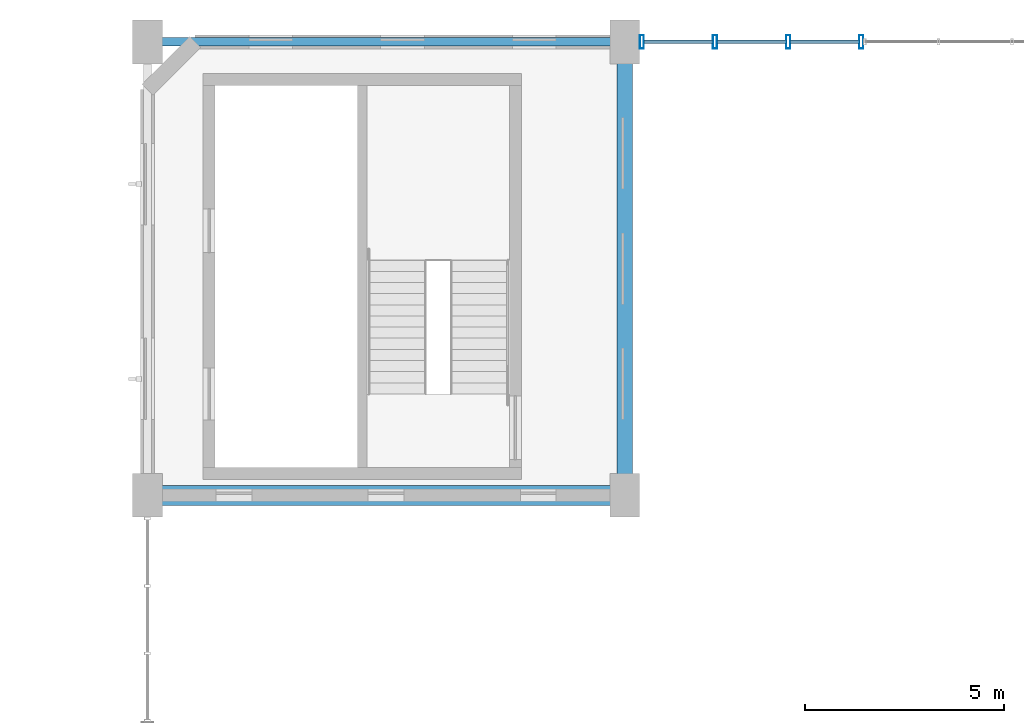
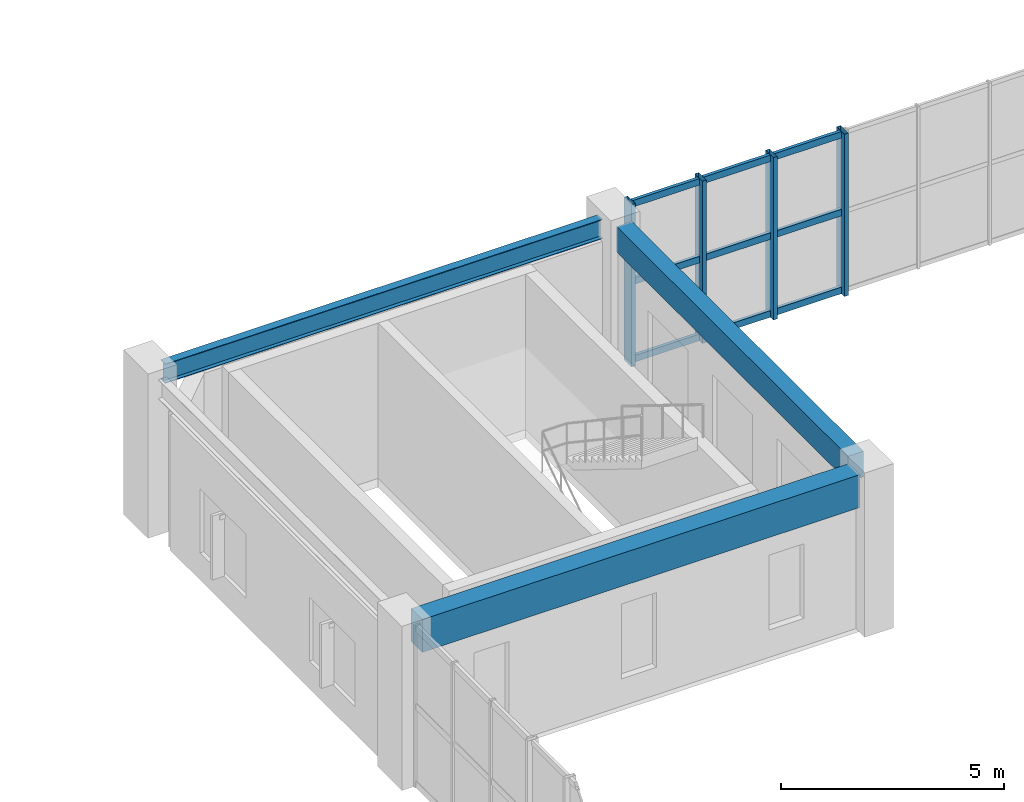
# One storey, part 26 of 48: 13 members, 3 beams, 1 element without a shape of its own.
"""IFC4 building model written with IfcOpenShell, lengths in metres."""

from ifc_helpers import new_model, si_unit, direction, frame, origin, origin_2d, place, context, subcontext, project, spatial, rectangle, hollow_rectangle, i_section, extrude, material, layer, layer_set, material_profile, profile_set, type_object, element, aggregate, save


model = new_model("IFC4")

# Units and contexts
model_context = context("Model", 3, precision=1e-05, world=origin(), true_north=direction((0.0, 1.0)))
body_context = subcontext(model_context, "Body", "Model", "MODEL_VIEW")
ifc_project = project(units=[si_unit("LENGTHUNIT", "METRE"), si_unit("AREAUNIT", "SQUARE_METRE"), si_unit("VOLUMEUNIT", "CUBIC_METRE"), si_unit("PLANEANGLEUNIT", "RADIAN"), si_unit("MASSUNIT", "GRAM", prefix="KILO"), si_unit("POWERUNIT", "WATT"), si_unit("THERMODYNAMICTEMPERATUREUNIT", "KELVIN")], contexts=[model_context])

# Site, building, storey
site_placement = place(None, origin())
site = spatial("IfcSite", under=ifc_project, at=site_placement, CompositionType="ELEMENT")
building_placement = place(site_placement, origin())
building = spatial("IfcBuilding", under=site, at=building_placement, Name="Kelmbourne Parkland Aquatics Centre", CompositionType="ELEMENT")
storey_placement = place(building_placement, frame((0.0, 0.0, 14.699951171875)))
storey = spatial("IfcBuildingStorey", under=building, at=storey_placement, Name="L03", CompositionType="ELEMENT", Elevation=14.699951171875)

# Beams
ifc_material_1 = material(Name="Concrete C40/50", Category="concrete")
ifc_material_profile_1 = material_profile(ifc_material_1, rectangle(XDim=0.5, YDim=0.89990234375, at=origin_2d()), Name="RC 500x900")
ifc_profile_set_1 = profile_set([ifc_material_profile_1], Name="Concrete C40/50")
beam_type_1 = type_object("IfcBeamType", Name="BM-G03", PredefinedType="BEAM", material=ifc_profile_set_1)
beam_1_placement = place(storey_placement, frame((128.330078125, 103.39990234375, 3.81005859375), z_axis=(1.0, 0.0, 0.0), x_axis=(0.0, 1.0, 0.0)))
element("IfcBeam", 1, at=beam_1_placement, inside=storey, type_object=beam_type_1, Name="Primary girder P-Q Grid 13 (L04)", PredefinedType="BEAM", context=body_context, shape_type="SweptSolid", body=[
    extrude(rectangle(XDim=0.5, YDim=0.89990234375, at=origin_2d()), origin(), (0.0, 0.0, 1.0), 11.33984375),
])
ifc_material_profile_2 = material_profile(ifc_material_1, rectangle(XDim=0.39990234375, YDim=0.699951171875, at=origin_2d()), Name="RC 400x700")
ifc_profile_set_2 = profile_set([ifc_material_profile_2], Name="Concrete C40/50")
beam_type_2 = type_object("IfcBeamType", Name="BM-G05", PredefinedType="BEAM", material=ifc_profile_set_2)
beam_2_placement = place(storey_placement, frame((140.0, 103.905029296875, 3.91015625), z_axis=(0.0, 1.0, 0.0), x_axis=(-1.0, 0.0, 0.0)))
element("IfcBeam", 2, at=beam_2_placement, inside=storey, type_object=beam_type_2, Name="Primary girder 13-14 Grid Q (L04)", PredefinedType="BEAM", context=body_context, shape_type="SweptSolid", body=[
    extrude(rectangle(XDim=0.39990234375, YDim=0.699951171875, at=origin_2d()), origin(), (0.0, 0.0, 1.0), 10.389892578125),
])
ifc_material_2 = material(Name="Structural steel AS/NZS 3679.1 Grade 300", Category="steel")
ifc_material_profile_3 = material_profile(ifc_material_2, i_section(OverallWidth=0.208984375, OverallDepth=0.532958984375, WebThickness=0.01025390625, FlangeThickness=0.015625, at=origin_2d()), Name="530UB92.4")
ifc_profile_set_3 = profile_set([ifc_material_profile_3], Name="Structural steel AS/NZS 3679.1 Grade 300")
beam_type_3 = type_object("IfcBeamType", Name="BM-SP02", PredefinedType="SPANDREL", material=ifc_profile_set_3)
beam_3_placement = place(storey_placement, frame((128.330078125, 114.800048828125, 3.99365234375), z_axis=(1.0, 0.0, 0.0), x_axis=(0.0, 1.0, 0.0)))
element("IfcBeam", 3, at=beam_3_placement, inside=storey, type_object=beam_type_3, Name="Perimeter spandrel P-Q Grid 14 (L04)", PredefinedType="SPANDREL", context=body_context, shape_type="SweptSolid", body=[
    extrude(i_section(OverallWidth=0.208984375, OverallDepth=0.532958984375, WebThickness=0.01025390625, FlangeThickness=0.015625, at=origin_2d()), origin(), (0.0, 0.0, 1.0), 11.33984375),
])

# Curtain wall, members
ifc_material_3 = material(Name="Thermally broken anodised aluminium framing", Category="aluminium")
ifc_layer = layer(ifc_material_3, 0.179931640625)
ifc_layer_set = layer_set([ifc_layer], Name="Thermally broken anodised aluminium framing")
curtain_wall_type = type_object("IfcCurtainWallType", Name="CW-05", PredefinedType="NOTDEFINED", material=ifc_layer_set)
curtain_wall_placement = place(storey_placement, origin())
curtain_wall = element("IfcCurtainWall", 4, at=curtain_wall_placement, inside=storey, type_object=curtain_wall_type, Name="Wave-hall clerestory curtain wall CW-L03-149", PredefinedType="NOTDEFINED")
ifc_material_profile_4 = material_profile(ifc_material_3, hollow_rectangle(XDim=0.10498046875, YDim=0.340087890625, WallThickness=0.006103515625, at=origin_2d()), Name="CW-M 105x340")
ifc_profile_set_4 = profile_set([ifc_material_profile_4], Name="Thermally broken anodised aluminium framing")
member_type_1 = type_object("IfcMemberType", Name="MB-MUL-5", PredefinedType="MULLION", material=ifc_profile_set_4)
member_1_placement = place(storey_placement, frame((140.429443359375, 114.800048828125, 0.0), z_axis=(0.0, 0.0, 1.0), x_axis=(1.0, 0.0, 0.0)))
member_1 = element("IfcMember", 5, at=member_1_placement, type_object=member_type_1, Name="CW-L03-149 mullion 0", PredefinedType="MULLION", context=body_context, shape_type="SweptSolid", body=[
    extrude(hollow_rectangle(XDim=0.10498046875, YDim=0.340087890625, WallThickness=0.006103515625, at=origin_2d()), origin(), (0.0, 0.0, 1.0), 4.449951171875),
])
member_2_placement = place(storey_placement, frame((142.268798828125, 114.800048828125, 0.0), z_axis=(0.0, 0.0, 1.0), x_axis=(1.0, 0.0, 0.0)))
member_2 = element("IfcMember", 6, at=member_2_placement, type_object=member_type_1, Name="CW-L03-149 mullion 1", PredefinedType="MULLION", context=body_context, shape_type="SweptSolid", body=[
    extrude(hollow_rectangle(XDim=0.10498046875, YDim=0.340087890625, WallThickness=0.006103515625, at=origin_2d()), origin(), (0.0, 0.0, 1.0), 4.449951171875),
])
member_3_placement = place(storey_placement, frame((144.108154296875, 114.800048828125, 0.0), z_axis=(0.0, 0.0, 1.0), x_axis=(1.0, 0.0, 0.0)))
member_3 = element("IfcMember", 7, at=member_3_placement, type_object=member_type_1, Name="CW-L03-149 mullion 2", PredefinedType="MULLION", context=body_context, shape_type="SweptSolid", body=[
    extrude(hollow_rectangle(XDim=0.10498046875, YDim=0.340087890625, WallThickness=0.006103515625, at=origin_2d()), origin(), (0.0, 0.0, 1.0), 4.449951171875),
])
member_4_placement = place(storey_placement, frame((145.947509765625, 114.800048828125, 0.0), z_axis=(0.0, 0.0, 1.0), x_axis=(1.0, 0.0, 0.0)))
member_4 = element("IfcMember", 8, at=member_4_placement, type_object=member_type_1, Name="CW-L03-149 mullion 3", PredefinedType="MULLION", context=body_context, shape_type="SweptSolid", body=[
    extrude(hollow_rectangle(XDim=0.10498046875, YDim=0.340087890625, WallThickness=0.006103515625, at=origin_2d()), origin(), (0.0, 0.0, 1.0), 4.449951171875),
])
ifc_material_profile_5 = material_profile(ifc_material_3, hollow_rectangle(XDim=0.0849609375, YDim=0.179931640625, WallThickness=0.00439453125, at=origin_2d()), Name="CW-T 85x180")
ifc_profile_set_5 = profile_set([ifc_material_profile_5], Name="Thermally broken anodised aluminium framing")
member_type_2 = type_object("IfcMemberType", Name="MB-TRN-3", PredefinedType="USERDEFINED", material=ifc_profile_set_5)
member_5_placement = place(storey_placement, frame((140.47802734375, 114.800048828125, 0.093017578125), z_axis=(1.0, 0.0, 0.0), x_axis=(0.0, 1.0, 0.0)))
member_5 = element("IfcMember", 9, at=member_5_placement, type_object=member_type_2, Name="CW-L03-149 transom 0-0", ObjectType="TRANSOM", PredefinedType="USERDEFINED", context=body_context, shape_type="SweptSolid", body=[
    extrude(hollow_rectangle(XDim=0.0849609375, YDim=0.179931640625, WallThickness=0.00439453125, at=origin_2d()), origin(), (0.0, 0.0, 1.0), 1.7421875),
])
member_6_placement = place(storey_placement, frame((142.3173828125, 114.800048828125, 0.093017578125), z_axis=(1.0, 0.0, 0.0), x_axis=(0.0, 1.0, 0.0)))
member_6 = element("IfcMember", 10, at=member_6_placement, type_object=member_type_2, Name="CW-L03-149 transom 0-1", ObjectType="TRANSOM", PredefinedType="USERDEFINED", context=body_context, shape_type="SweptSolid", body=[
    extrude(hollow_rectangle(XDim=0.0849609375, YDim=0.179931640625, WallThickness=0.00439453125, at=origin_2d()), origin(), (0.0, 0.0, 1.0), 1.742431640625),
])
member_7_placement = place(storey_placement, frame((144.15673828125, 114.800048828125, 0.093017578125), z_axis=(1.0, 0.0, 0.0), x_axis=(0.0, 1.0, 0.0)))
member_7 = element("IfcMember", 11, at=member_7_placement, type_object=member_type_2, Name="CW-L03-149 transom 0-2", ObjectType="TRANSOM", PredefinedType="USERDEFINED", context=body_context, shape_type="SweptSolid", body=[
    extrude(hollow_rectangle(XDim=0.0849609375, YDim=0.179931640625, WallThickness=0.00439453125, at=origin_2d()), origin(), (0.0, 0.0, 1.0), 1.7421875),
])
member_8_placement = place(storey_placement, frame((140.47802734375, 114.800048828125, 2.22509765625), z_axis=(1.0, 0.0, 0.0), x_axis=(0.0, 1.0, 0.0)))
member_8 = element("IfcMember", 12, at=member_8_placement, type_object=member_type_2, Name="CW-L03-149 transom 1-0", ObjectType="TRANSOM", PredefinedType="USERDEFINED", context=body_context, shape_type="SweptSolid", body=[
    extrude(hollow_rectangle(XDim=0.0849609375, YDim=0.179931640625, WallThickness=0.00439453125, at=origin_2d()), origin(), (0.0, 0.0, 1.0), 1.7421875),
])
member_9_placement = place(storey_placement, frame((142.3173828125, 114.800048828125, 2.22509765625), z_axis=(1.0, 0.0, 0.0), x_axis=(0.0, 1.0, 0.0)))
member_9 = element("IfcMember", 13, at=member_9_placement, type_object=member_type_2, Name="CW-L03-149 transom 1-1", ObjectType="TRANSOM", PredefinedType="USERDEFINED", context=body_context, shape_type="SweptSolid", body=[
    extrude(hollow_rectangle(XDim=0.0849609375, YDim=0.179931640625, WallThickness=0.00439453125, at=origin_2d()), origin(), (0.0, 0.0, 1.0), 1.742431640625),
])
member_10_placement = place(storey_placement, frame((144.15673828125, 114.800048828125, 2.22509765625), z_axis=(1.0, 0.0, 0.0), x_axis=(0.0, 1.0, 0.0)))
member_10 = element("IfcMember", 14, at=member_10_placement, type_object=member_type_2, Name="CW-L03-149 transom 1-2", ObjectType="TRANSOM", PredefinedType="USERDEFINED", context=body_context, shape_type="SweptSolid", body=[
    extrude(hollow_rectangle(XDim=0.0849609375, YDim=0.179931640625, WallThickness=0.00439453125, at=origin_2d()), origin(), (0.0, 0.0, 1.0), 1.7421875),
])
member_11_placement = place(storey_placement, frame((140.47802734375, 114.800048828125, 4.35693359375), z_axis=(1.0, 0.0, 0.0), x_axis=(0.0, 1.0, 0.0)))
member_11 = element("IfcMember", 15, at=member_11_placement, type_object=member_type_2, Name="CW-L03-149 transom 2-0", ObjectType="TRANSOM", PredefinedType="USERDEFINED", context=body_context, shape_type="SweptSolid", body=[
    extrude(hollow_rectangle(XDim=0.0849609375, YDim=0.179931640625, WallThickness=0.00439453125, at=origin_2d()), origin(), (0.0, 0.0, 1.0), 1.7421875),
])
member_12_placement = place(storey_placement, frame((142.3173828125, 114.800048828125, 4.35693359375), z_axis=(1.0, 0.0, 0.0), x_axis=(0.0, 1.0, 0.0)))
member_12 = element("IfcMember", 16, at=member_12_placement, type_object=member_type_2, Name="CW-L03-149 transom 2-1", ObjectType="TRANSOM", PredefinedType="USERDEFINED", context=body_context, shape_type="SweptSolid", body=[
    extrude(hollow_rectangle(XDim=0.0849609375, YDim=0.179931640625, WallThickness=0.00439453125, at=origin_2d()), origin(), (0.0, 0.0, 1.0), 1.742431640625),
])
member_13_placement = place(storey_placement, frame((144.15673828125, 114.800048828125, 4.35693359375), z_axis=(1.0, 0.0, 0.0), x_axis=(0.0, 1.0, 0.0)))
member_13 = element("IfcMember", 17, at=member_13_placement, type_object=member_type_2, Name="CW-L03-149 transom 2-2", ObjectType="TRANSOM", PredefinedType="USERDEFINED", context=body_context, shape_type="SweptSolid", body=[
    extrude(hollow_rectangle(XDim=0.0849609375, YDim=0.179931640625, WallThickness=0.00439453125, at=origin_2d()), origin(), (0.0, 0.0, 1.0), 1.7421875),
])
aggregate(curtain_wall, [member_1, member_2, member_3, member_4, member_5, member_6, member_7, member_8, member_9, member_10, member_11, member_12, member_13])

save(model, "model.ifc")
